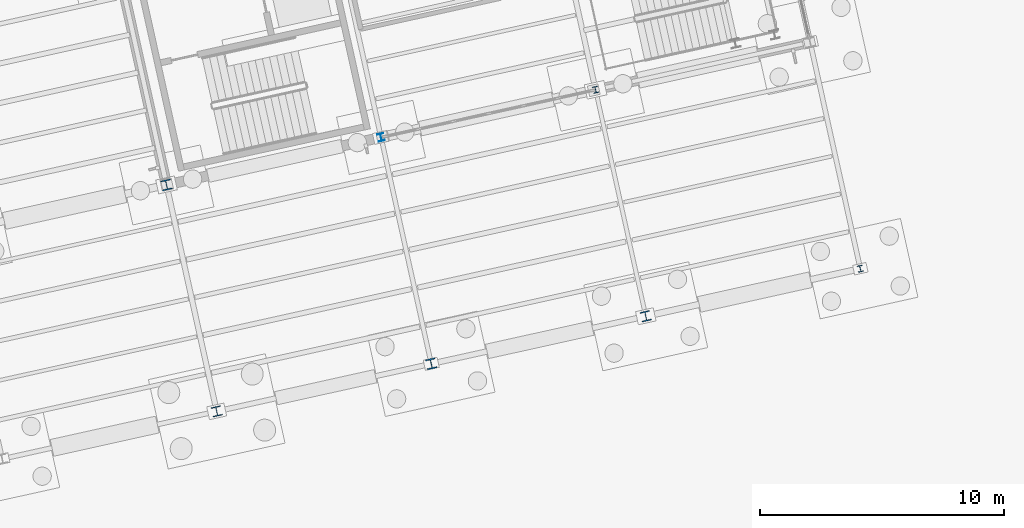
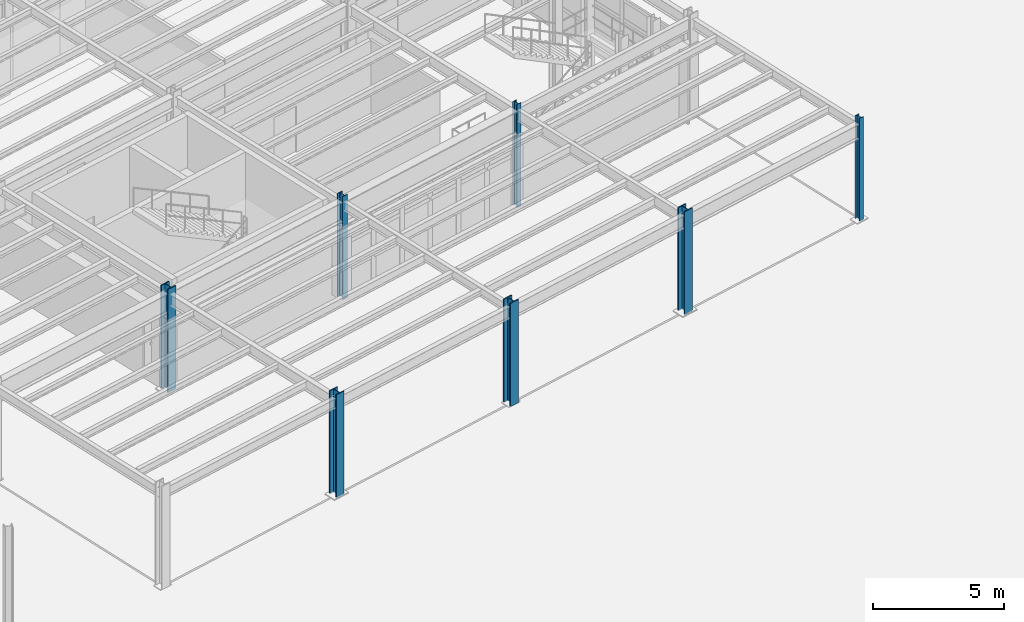
# One storey, part 30 of 108: 7 columns.
"""IFC4 building model written with IfcOpenShell, lengths in metres."""

from ifc_helpers import new_model, si_unit, direction, frame, origin, origin_2d, place, context, subcontext, project, spatial, i_section, extrude, material, material_profile, profile_set, type_object, element, save


model = new_model("IFC4")

# Units and contexts
model_context = context("Model", 3, precision=1e-05, world=origin(), true_north=direction((0.0, 1.0)))
body_context = subcontext(model_context, "Body", "Model", "MODEL_VIEW")
ifc_project = project(units=[si_unit("LENGTHUNIT", "METRE"), si_unit("AREAUNIT", "SQUARE_METRE"), si_unit("VOLUMEUNIT", "CUBIC_METRE"), si_unit("PLANEANGLEUNIT", "RADIAN"), si_unit("MASSUNIT", "GRAM", prefix="KILO")], contexts=[model_context])

# Site, building, storey
site_placement = place(None, origin())
site = spatial("IfcSite", under=ifc_project, at=site_placement, CompositionType="ELEMENT")
building_placement = place(site_placement, origin())
building = spatial("IfcBuilding", under=site, at=building_placement, Name="Vireo Bluff Cable Station", CompositionType="ELEMENT")
storey_placement = place(building_placement, origin())
storey = spatial("IfcBuildingStorey", under=building, at=storey_placement, Name="L00", CompositionType="ELEMENT", Elevation=0.0)

# Columns
ifc_material = material(Name="Steel ASTM A992 Gr. 50", Category="steel")
ifc_material_profile_1 = material_profile(ifc_material, i_section(OverallWidth=0.404052734375, OverallDepth=0.406005859375, WebThickness=0.027099609375, FlangeThickness=0.043701171875, FilletRadius=0.014892578125, at=origin_2d()), Name="W14X233")
ifc_profile_set_1 = profile_set([ifc_material_profile_1], Name="Steel ASTM A992 Gr. 50")
column_type_1 = type_object("IfcColumnType", Name="COL-W14X233", PredefinedType="COLUMN", material=ifc_profile_set_1)
column_1_placement = place(storey_placement, frame((152.360107421875, 79.84375, 0.0), z_axis=(0.0, 0.0, 1.0), x_axis=(0.97629600712, 0.216439613938, 0.0)))
element("IfcColumn", 1, at=column_1_placement, inside=storey, type_object=column_type_1, Name="V2 L00 column 165", PredefinedType="COLUMN", context=body_context, shape_type="SweptSolid", body=[
    extrude(i_section(OverallWidth=0.404052734375, OverallDepth=0.406005859375, WebThickness=0.027099609375, FlangeThickness=0.043701171875, FilletRadius=0.014892578125, at=origin_2d()), origin(), (0.0, 0.0, 1.0), 4.800048828125),
])
ifc_material_profile_2 = material_profile(ifc_material, i_section(OverallWidth=0.408935546875, OverallDepth=0.424072265625, WebThickness=0.03271484375, FlangeThickness=0.052490234375, FilletRadius=0.014892578125, at=origin_2d()), Name="W14X283")
ifc_profile_set_2 = profile_set([ifc_material_profile_2], Name="Steel ASTM A992 Gr. 50")
column_type_2 = type_object("IfcColumnType", Name="COL-W14X283", PredefinedType="COLUMN", material=ifc_profile_set_2)
column_2_placement = place(storey_placement, frame((143.5732421875, 77.89599609375, 0.0), z_axis=(0.0, 0.0, 1.0), x_axis=(0.97629600712, 0.216439613938, 0.0)))
element("IfcColumn", 2, at=column_2_placement, inside=storey, type_object=column_type_2, Name="V2 L00 column 150", PredefinedType="COLUMN", context=body_context, shape_type="SweptSolid", body=[
    extrude(i_section(OverallWidth=0.408935546875, OverallDepth=0.424072265625, WebThickness=0.03271484375, FlangeThickness=0.052490234375, FilletRadius=0.014892578125, at=origin_2d()), origin(), (0.0, 0.0, 1.0), 4.800048828125),
])
ifc_material_profile_3 = material_profile(ifc_material, i_section(OverallWidth=0.40087890625, OverallDepth=0.39892578125, WebThickness=0.02490234375, FlangeThickness=0.03955078125, FilletRadius=0.014892578125, at=origin_2d()), Name="W14X211")
ifc_profile_set_3 = profile_set([ifc_material_profile_3], Name="Steel ASTM A992 Gr. 50")
column_type_3 = type_object("IfcColumnType", Name="ECOL-W14X211", PredefinedType="COLUMN", material=ifc_profile_set_3)
column_3_placement = place(storey_placement, frame((134.78662109375, 75.947998046875, 0.0), z_axis=(0.0, 0.0, 1.0), x_axis=(0.97629600712, 0.216439613938, 0.0)))
element("IfcColumn", 3, at=column_3_placement, inside=storey, type_object=column_type_3, Name="V2 L00 column 135", PredefinedType="COLUMN", context=body_context, shape_type="SweptSolid", body=[
    extrude(i_section(OverallWidth=0.40087890625, OverallDepth=0.39892578125, WebThickness=0.02490234375, FlangeThickness=0.03955078125, FilletRadius=0.014892578125, at=origin_2d()), origin(), (0.0, 0.0, 1.0), 4.800048828125),
])
ifc_material_profile_4 = material_profile(ifc_material, i_section(OverallWidth=0.406005859375, OverallDepth=0.4169921875, WebThickness=0.02978515625, FlangeThickness=0.048095703125, FilletRadius=0.014892578125, at=origin_2d()), Name="W14X257")
ifc_profile_set_4 = profile_set([ifc_material_profile_4], Name="Steel ASTM A992 Gr. 50")
column_type_4 = type_object("IfcColumnType", Name="ECOL-W14X257", PredefinedType="COLUMN", material=ifc_profile_set_4)
column_4_placement = place(storey_placement, frame((132.73046875, 85.22265625, 0.0), z_axis=(0.0, 0.0, 1.0), x_axis=(0.97629600712, 0.216439613938, 0.0)))
element("IfcColumn", 4, at=column_4_placement, inside=storey, type_object=column_type_4, Name="V2 L00 column 138", PredefinedType="COLUMN", context=body_context, shape_type="SweptSolid", body=[
    extrude(i_section(OverallWidth=0.406005859375, OverallDepth=0.4169921875, WebThickness=0.02978515625, FlangeThickness=0.048095703125, FilletRadius=0.014892578125, at=origin_2d()), origin(), (0.0, 0.0, 1.0), 4.800048828125),
])
ifc_material_profile_5 = material_profile(ifc_material, i_section(OverallWidth=0.2041015625, OverallDepth=0.257080078125, WebThickness=0.0087890625, FlangeThickness=0.015625, FilletRadius=0.009033203125, at=origin_2d()), Name="W10X45")
ifc_profile_set_5 = profile_set([ifc_material_profile_5], Name="Steel ASTM A992 Gr. 50")
column_type_5 = type_object("IfcColumnType", Name="PIL-W10X45", PredefinedType="PILASTER", material=ifc_profile_set_5)
for number, where, z_axis, x_axis, name in (
    (5, (150.3037109375, 89.11865234375, 0.0), (0.0, 0.0, 1.0), (0.97629600712, 0.216439613938, 0.0), "V2 L00 column 168"),
    (6, (161.146728515625, 81.791748046875, 0.0), (0.0, 0.0, 1.0), (0.97629600712, 0.216439613938, 0.0), "V2 L00 column 180"),
):
    element("IfcColumn", number, at=place(storey_placement, frame(where, z_axis=z_axis, x_axis=x_axis)), inside=storey, type_object=column_type_5, Name=name, PredefinedType="PILASTER", context=body_context, shape_type="SweptSolid", body=[
        extrude(i_section(OverallWidth=0.2041015625, OverallDepth=0.257080078125, WebThickness=0.0087890625, FlangeThickness=0.015625, FilletRadius=0.009033203125, at=origin_2d()), origin(), (0.0, 0.0, 1.0), 4.800048828125),
    ])
ifc_material_profile_6 = material_profile(ifc_material, i_section(OverallWidth=0.25390625, OverallDepth=0.305908203125, WebThickness=0.0087890625, FlangeThickness=0.0146484375, FilletRadius=0.010986328125, at=origin_2d()), Name="W12X53")
ifc_profile_set_6 = profile_set([ifc_material_profile_6], Name="Steel ASTM A992 Gr. 50")
column_type_6 = type_object("IfcColumnType", Name="PIL-W12X53", PredefinedType="PILASTER", material=ifc_profile_set_6)
column_5_placement = place(storey_placement, frame((141.51708984375, 87.170654296875, 0.0), z_axis=(0.0, 0.0, 1.0), x_axis=(0.97629600712, 0.216439613938, 0.0)))
element("IfcColumn", 7, at=column_5_placement, inside=storey, type_object=column_type_6, Name="V2 L00 column 153", PredefinedType="PILASTER", context=body_context, shape_type="SweptSolid", body=[
    extrude(i_section(OverallWidth=0.25390625, OverallDepth=0.305908203125, WebThickness=0.0087890625, FlangeThickness=0.0146484375, FilletRadius=0.010986328125, at=origin_2d()), origin(), (0.0, 0.0, 1.0), 4.800048828125),
])

save(model, "model.ifc")
